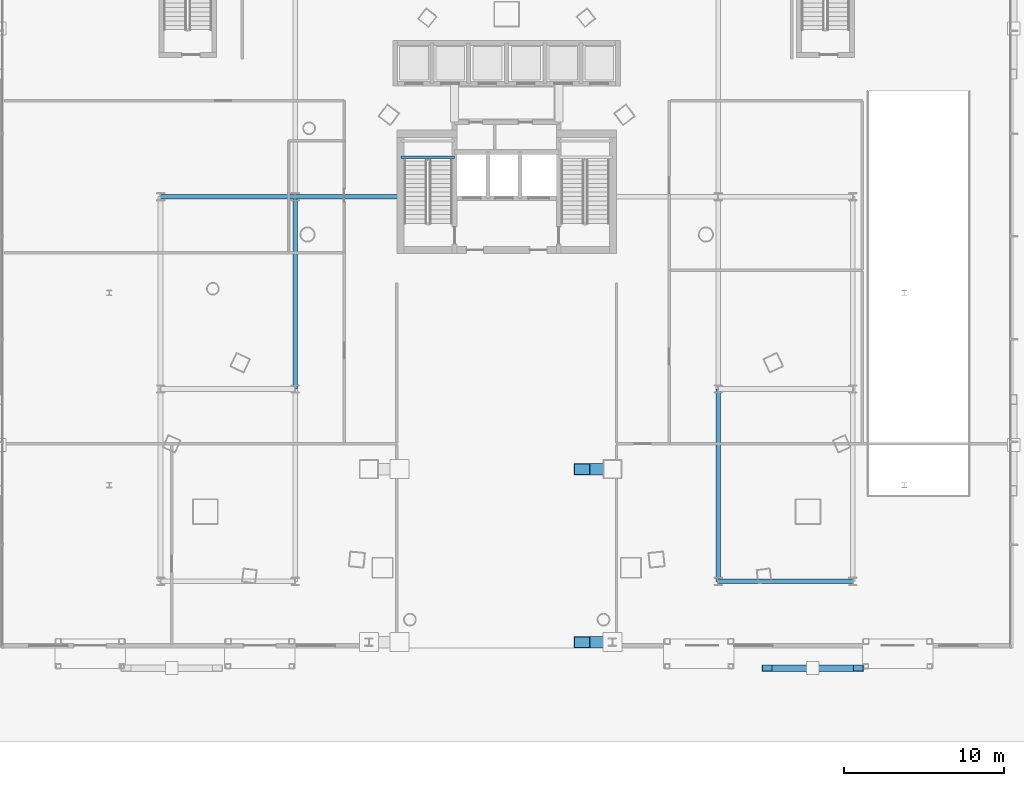
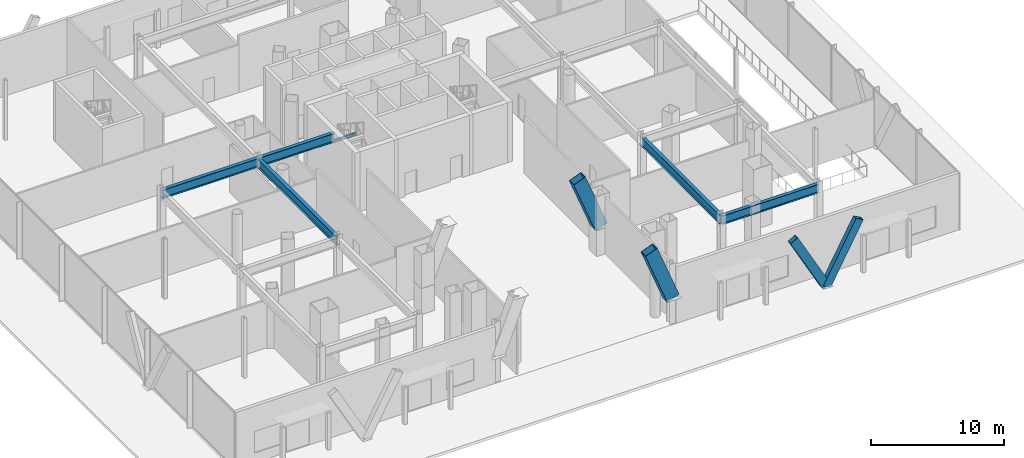
# One storey, part 12 of 38: 6 beams, 4 members.
"""IFC4 building model written with IfcOpenShell, lengths in metres."""

from ifc_helpers import new_model, si_unit, direction, frame, origin, origin_2d, place, context, subcontext, project, spatial, hollow_rectangle, i_section, extrude, material, material_profile, profile_set, type_object, element, save


model = new_model("IFC4")

# Units and contexts
model_context = context("Model", 3, precision=1e-05, world=origin(), true_north=direction((0.0, 1.0)))
body_context = subcontext(model_context, "Body", "Model", "MODEL_VIEW")
ifc_project = project(units=[si_unit("LENGTHUNIT", "METRE"), si_unit("AREAUNIT", "SQUARE_METRE"), si_unit("VOLUMEUNIT", "CUBIC_METRE"), si_unit("PLANEANGLEUNIT", "RADIAN"), si_unit("MASSUNIT", "GRAM", prefix="KILO")], contexts=[model_context])

# Site, building, storey
site_placement = place(None, origin())
site = spatial("IfcSite", under=ifc_project, at=site_placement, CompositionType="ELEMENT")
building_placement = place(site_placement, origin())
building = spatial("IfcBuilding", under=site, at=building_placement, Name="Orvanel Arch Residences", CompositionType="ELEMENT")
storey_placement = place(building_placement, origin())
storey = spatial("IfcBuildingStorey", under=building, at=storey_placement, Name="L00", CompositionType="ELEMENT", Elevation=0.0)

# Members
ifc_material_1 = material(Name="Structural steel AS/NZS 3678 Grade 350", Category="steel")
ifc_material_profile_1 = material_profile(ifc_material_1, hollow_rectangle(XDim=0.719970703125, YDim=1.10009765625, WallThickness=0.035888671875, at=origin_2d()), Name="BOX1100x720x36")
ifc_profile_set_1 = profile_set([ifc_material_profile_1], Name="Structural steel AS/NZS 3678 Grade 350")
member_type_1 = type_object("IfcMemberType", Name="AR-1100BOX", PredefinedType="USERDEFINED", material=ifc_profile_set_1)
member_1_placement = place(storey_placement, frame((37.699951171875, 13.0, 7.278076171875), z_axis=(0.362957061828, 0.0, -0.931805865655), x_axis=(0.0, 1.0, 0.0)))
element("IfcMember", 1, at=member_1_placement, inside=storey, type_object=member_type_1, Name="Monumental Podium Arch Rib MID Segment 8", ObjectType="ARCH_SEGMENT", PredefinedType="USERDEFINED", context=body_context, shape_type="SweptSolid", body=[
    extrude(hollow_rectangle(XDim=0.719970703125, YDim=1.10009765625, WallThickness=0.035888671875, at=origin_2d()), origin(), (0.0, 0.0, 1.0), 5.235107421875),
])
ifc_material_profile_2 = material_profile(ifc_material_1, hollow_rectangle(XDim=0.719970703125, YDim=1.10009765625, WallThickness=0.035888671875, at=origin_2d()), Name="BOX1100x720x36")
ifc_profile_set_2 = profile_set([ifc_material_profile_2], Name="Structural steel AS/NZS 3678 Grade 350")
member_type_2 = type_object("IfcMemberType", Name="AR-1100BOX-EXT", PredefinedType="USERDEFINED", material=ifc_profile_set_2)
member_2_placement = place(storey_placement, frame((37.699951171875, 2.199951171875, 7.278076171875), z_axis=(0.362957061828, 0.0, -0.931805865655), x_axis=(0.0, 1.0, 0.0)))
element("IfcMember", 2, at=member_2_placement, inside=storey, type_object=member_type_2, Name="Monumental Podium Arch Rib SOUTH Segment 8", ObjectType="ARCH_SEGMENT", PredefinedType="USERDEFINED", context=body_context, shape_type="SweptSolid", body=[
    extrude(hollow_rectangle(XDim=0.719970703125, YDim=1.10009765625, WallThickness=0.035888671875, at=origin_2d()), origin(), (0.0, 0.0, 1.0), 5.235107421875),
])

# Beams
ifc_material_profile_3 = material_profile(ifc_material_1, i_section(OverallWidth=0.300048828125, OverallDepth=0.81591796875, WebThickness=0.013916015625, FlangeThickness=0.02392578125, at=origin_2d()), Name="800WB192")
ifc_profile_set_3 = profile_set([ifc_material_profile_3], Name="Structural steel AS/NZS 3678 Grade 350")
beam_type_1 = type_object("IfcBeamType", Name="BG-800WB", PredefinedType="BEAM", material=ifc_profile_set_3)
for number, where, z_axis, x_axis, name in (
    (3, (46.199951171875, 6.0, 4.81201171875), (1.0, 0.0, 0.0), (0.0, 1.0, 0.0), "L00 BG-800WB beam"),
    (4, (11.39990234375, 30.0, 4.81201171875), (1.0, 0.0, 0.0), (0.0, 1.0, 0.0), "L00 BG-800WB beam"),
):
    element("IfcBeam", number, at=place(storey_placement, frame(where, z_axis=z_axis, x_axis=x_axis)), inside=storey, type_object=beam_type_1, Name=name, PredefinedType="BEAM", context=body_context, shape_type="SweptSolid", body=[
        extrude(i_section(OverallWidth=0.300048828125, OverallDepth=0.81591796875, WebThickness=0.013916015625, FlangeThickness=0.02392578125, at=origin_2d()), origin(), (0.0, 0.0, 1.0), 8.400146484375),
    ])
beam_1_placement = place(storey_placement, frame((19.800048828125, 30.0, 4.81201171875), z_axis=(1.0, 0.0, 0.0), x_axis=(0.0, 1.0, 0.0)))
element("IfcBeam", 5, at=beam_1_placement, inside=storey, type_object=beam_type_1, Name="L00 BG-800WB beam", PredefinedType="BEAM", context=body_context, shape_type="SweptSolid", body=[
    extrude(i_section(OverallWidth=0.300048828125, OverallDepth=0.81591796875, WebThickness=0.013916015625, FlangeThickness=0.02392578125, at=origin_2d()), origin(), (0.0, 0.0, 1.0), 6.574951171875),
])
for number, where, z_axis, x_axis, name in (
    (6, (19.800048828125, 18.0, 4.81201171875), (0.0, 1.0, 0.0), (-1.0, 0.0, 0.0), "L00 North-South Podium Girder XW20-M"),
    (7, (46.199951171875, 6.0, 4.81201171875), (0.0, 1.0, 0.0), (-1.0, 0.0, 0.0), "L00 North-South Podium Girder XE46-S"),
):
    element("IfcBeam", number, at=place(storey_placement, frame(where, z_axis=z_axis, x_axis=x_axis)), inside=storey, type_object=beam_type_1, Name=name, PredefinedType="BEAM", context=body_context, shape_type="SweptSolid", body=[
        extrude(i_section(OverallWidth=0.300048828125, OverallDepth=0.81591796875, WebThickness=0.013916015625, FlangeThickness=0.02392578125, at=origin_2d()), origin(), (0.0, 0.0, 1.0), 12.0),
    ])
ifc_material_2 = material(Name="Structural steel AS/NZS 3679.1 Grade 300 (300 MPa)", Category="steel")
ifc_material_profile_4 = material_profile(ifc_material_2, i_section(OverallWidth=0.14599609375, OverallDepth=0.251953125, WebThickness=0.006103515625, FlangeThickness=0.008544921875, at=origin_2d()), Name="250UB31.4")
ifc_profile_set_4 = profile_set([ifc_material_profile_4], Name="Structural steel AS/NZS 3679.1 Grade 300 (300 MPa)")
beam_type_2 = type_object("IfcBeamType", Name="BJ-250UB", PredefinedType="JOIST", material=ifc_profile_set_4)
beam_2_placement = place(storey_placement, frame((26.39990234375, 32.4599609375, 2.424072265625), z_axis=(1.0, 0.0, 0.0), x_axis=(0.0, 1.0, 0.0)))
element("IfcBeam", 8, at=beam_2_placement, inside=storey, type_object=beam_type_2, Name="L00 ST-1 Half-Landing Support Beam 1.1", PredefinedType="JOIST", context=body_context, shape_type="SweptSolid", body=[
    extrude(i_section(OverallWidth=0.14599609375, OverallDepth=0.251953125, WebThickness=0.006103515625, FlangeThickness=0.008544921875, at=origin_2d()), origin(), (0.0, 0.0, 1.0), 3.35009765625),
])

# Members
ifc_material_profile_5 = material_profile(ifc_material_1, hollow_rectangle(XDim=0.419921875, YDim=0.719970703125, WallThickness=0.02490234375, at=origin_2d()), Name="RHS720x420x25")
ifc_profile_set_5 = profile_set([ifc_material_profile_5], Name="Structural steel AS/NZS 3678 Grade 350")
member_type_3 = type_object("IfcMemberType", Name="BR-720RHS-EXT", PredefinedType="BRACE", material=ifc_profile_set_5)
member_3_placement = place(storey_placement, frame((52.10009765625, 0.580078125, 0.0), z_axis=(-0.480132810148, 0.0, 0.877195807457), x_axis=(0.0, -1.0, 0.0)))
element("IfcMember", 9, at=member_3_placement, inside=storey, type_object=member_type_3, Name="L00 Podium Multi-Storey V-Strut Pair SE Leg 1", PredefinedType="BRACE", context=body_context, shape_type="SweptSolid", body=[
    extrude(hollow_rectangle(XDim=0.419921875, YDim=0.719970703125, WallThickness=0.02490234375, at=origin_2d()), origin(), (0.0, 0.0, 1.0), 5.927978515625),
])
member_4_placement = place(storey_placement, frame((52.10009765625, 0.580078125, 0.0), z_axis=(0.48010111861, 0.0, 0.877213153065), x_axis=(0.0, 1.0, 0.0)))
element("IfcMember", 10, at=member_4_placement, inside=storey, type_object=member_type_3, Name="L00 Podium Multi-Storey V-Strut Pair SE Leg 2", PredefinedType="BRACE", context=body_context, shape_type="SweptSolid", body=[
    extrude(hollow_rectangle(XDim=0.419921875, YDim=0.719970703125, WallThickness=0.02490234375, at=origin_2d()), origin(), (0.0, 0.0, 1.0), 5.927734375),
])

save(model, "model.ifc")
